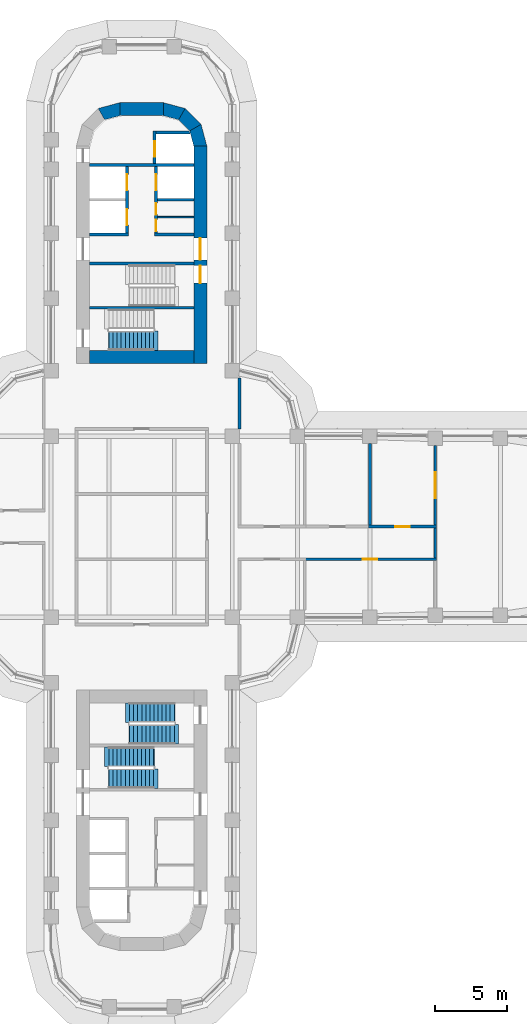
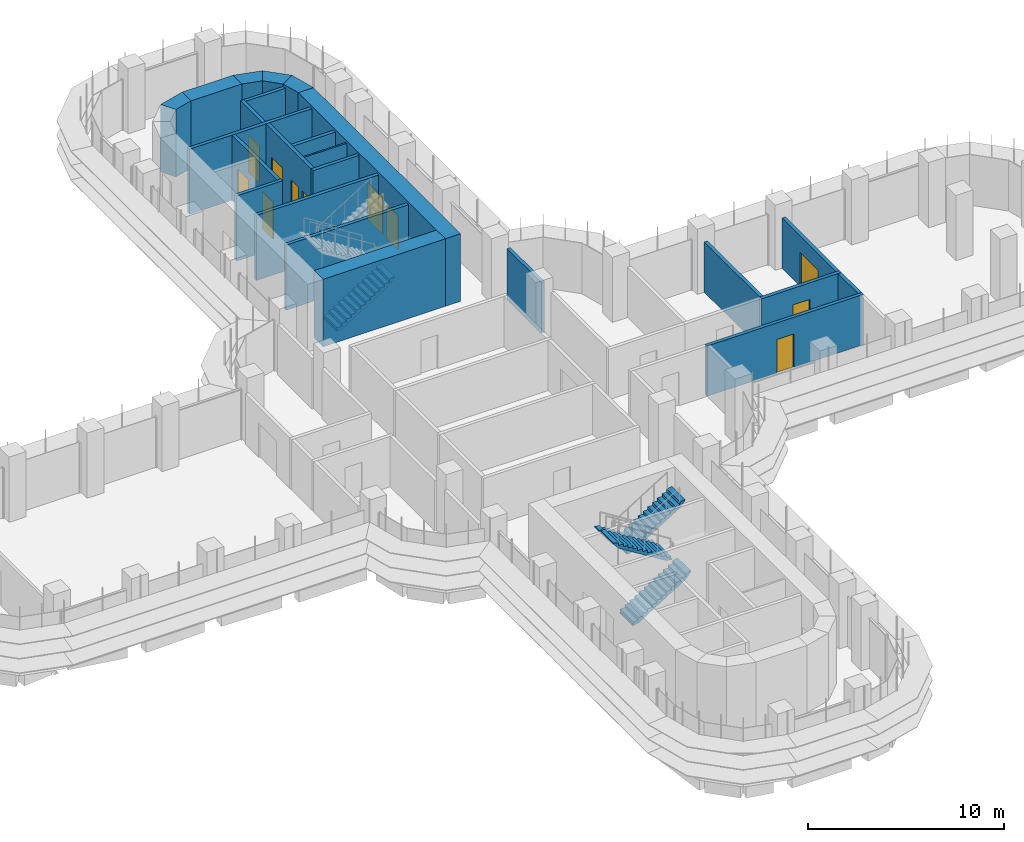
# One storey, part 18 of 23: 24 walls, 11 doors, 5 stair flights, 11 openings, 3 elements without a shape of their own.
"""IFC4 building model written with IfcOpenShell, lengths in metres."""

from ifc_helpers import new_model, si_unit, direction, frame, frame_2d, origin, place, context, subcontext, project, spatial, polyline, rectangle, outline, extrude, material, layer, layer_set, type_object, element, fill, aggregate, save


model = new_model("IFC4")

# Units and contexts
model_context = context("Model", 3, precision=1e-05, world=origin(), true_north=direction((0.0, 1.0)))
body_context = subcontext(model_context, "Body", "Model", "MODEL_VIEW")
ifc_project = project(units=[si_unit("LENGTHUNIT", "METRE"), si_unit("AREAUNIT", "SQUARE_METRE"), si_unit("VOLUMEUNIT", "CUBIC_METRE"), si_unit("PLANEANGLEUNIT", "RADIAN"), si_unit("MASSUNIT", "GRAM", prefix="KILO")], contexts=[model_context])

# Site, building, storey
site_placement = place(None, origin())
site = spatial("IfcSite", under=ifc_project, at=site_placement, CompositionType="ELEMENT")
building_placement = place(site_placement, origin())
building = spatial("IfcBuilding", under=site, at=building_placement, Name="Zarbagh Exchange Tower", CompositionType="ELEMENT")
storey_placement = place(building_placement, frame((0.0, 0.0, 77.39990234375)))
storey = spatial("IfcBuildingStorey", under=building, at=storey_placement, Name="L17", CompositionType="ELEMENT", Elevation=77.39990234375)

# Walls
ifc_material_1 = material(Name="Dense blockwork", Category="masonry")
ifc_layer_1 = layer(ifc_material_1, 0.10009765625)
ifc_layer_set_1 = layer_set([ifc_layer_1], Name="Core partition 100 mm blockwork")
wall_type_1 = type_object("IfcWallType", Name="Core partition 100 mm blockwork", PredefinedType="PARTITIONING", material=ifc_layer_set_1)
wall_1_placement = place(storey_placement, frame((1.10009765625, 21.35009765625, 0.0), z_axis=(0.0, 0.0, 1.0), x_axis=(1.0, 0.0, 0.0)))
element("IfcWall", 1, at=wall_1_placement, inside=storey, type_object=wall_type_1, Name="North core partition wall CUT-E-700", PredefinedType="PARTITIONING", context=body_context, shape_type="SweptSolid", body=[
    extrude(rectangle(XDim=2.5, YDim=0.10009765625, at=frame_2d((1.25, 0.0))), origin(), (0.0, 0.0, 1.0), 4.050048828125),
])
ifc_material_2 = material(Name="Fire-rated plasterboard partition")
ifc_layer_2 = layer(ifc_material_2, 0.199951171875)
ifc_layer_set_2 = layer_set([ifc_layer_2], Name="RATED PARTITION 200")
wall_type_2 = type_object("IfcWallType", Name="RATED PARTITION 200", PredefinedType="PARTITIONING", material=ifc_layer_set_2)
wall_2_placement = place(storey_placement, frame((6.75, 6.75, 0.0), z_axis=(0.0, 0.0, 1.0), x_axis=(0.0, 1.0, 0.0)))
element("IfcWall", 2, at=wall_2_placement, inside=storey, type_object=wall_type_2, Name="Partition W-512", PredefinedType="PARTITIONING", context=body_context, shape_type="SweptSolid", body=[
    extrude(rectangle(XDim=3.5, YDim=0.199951171875, at=frame_2d((1.75, 0.0))), origin(), (0.0, 0.0, 1.0), 3.130615234375),
])

# Wall, opening, door
wall_3_placement = place(storey_placement, frame((15.64990234375, 0.0, 0.0), z_axis=(0.0, 0.0, 1.0), x_axis=(1.0, 0.0, 0.0)))
wall_3 = element("IfcWall", 3, at=wall_3_placement, inside=storey, type_object=wall_type_2, Name="Partition W-522", PredefinedType="PARTITIONING", context=body_context, shape_type="SweptSolid", body=[
    extrude(rectangle(XDim=4.7001953125, YDim=0.199951171875, at=frame_2d((2.35009765625, 0.0))), origin(), (0.0, 0.0, 1.0), 3.130615234375),
])
opening_1_placement = place(wall_3_placement, frame((1.85009765625, 0.0, 0.0)))
opening_1 = element("IfcOpeningElement", 4, at=opening_1_placement, cuts=wall_3, Name="Opening D-507", PredefinedType="OPENING", context=body_context, shape_type="SweptSolid", body=[
    extrude(rectangle(XDim=1.0, YDim=2.10009765625, at=frame_2d((0.5, 1.050048828125))), frame((0.0, 0.10986328125, 0.0), z_axis=(0.0, -1.0, 0.0), x_axis=(1.0, 0.0, 0.0)), (0.0, 0.0, 1.0), 0.219970703125),
])
ifc_material_3 = material(Name="Steel door set", Category="steel")
door_type_1 = type_object("IfcDoorType", Name="FIRE DOOR 1000 X 2100 FD30S", OperationType="NOTDEFINED", PredefinedType="DOOR", material=ifc_material_3)
door_1_placement = place(opening_1_placement, origin())
door_1 = element("IfcDoor", 5, at=door_1_placement, inside=storey, type_object=door_type_1, Name="Door D-507", OperationType="SINGLE_SWING_LEFT", OverallHeight=2.10009765625, OverallWidth=1.0, PredefinedType="DOOR", context=body_context, shape_type="SweptSolid", body=[
    extrude(rectangle(XDim=1.0, YDim=2.10009765625, at=frame_2d((0.5, 1.050048828125))), frame((0.0, 0.02490234375, 0.0), z_axis=(0.0, -1.0, 0.0), x_axis=(1.0, 0.0, 0.0)), (0.0, 0.0, 1.0), 0.050048828125),
])
fill(opening_1, door_1)

wall_4_placement = place(storey_placement, frame((20.35009765625, -2.25, 0.0), z_axis=(0.0, 0.0, 1.0), x_axis=(-1.0, 0.0, 0.0)))
wall_4 = element("IfcWall", 6, at=wall_4_placement, inside=storey, type_object=wall_type_2, Name="Partition W-523", PredefinedType="PARTITIONING", context=body_context, shape_type="SweptSolid", body=[
    extrude(rectangle(XDim=9.2001953125, YDim=0.199951171875, at=frame_2d((4.60009765625, 0.0))), origin(), (0.0, 0.0, 1.0), 3.130615234375),
])
opening_2_placement = place(wall_4_placement, frame((4.10009765625, 0.0, 0.0)))
opening_2 = element("IfcOpeningElement", 7, at=opening_2_placement, cuts=wall_4, Name="Opening D-509", PredefinedType="OPENING", context=body_context, shape_type="SweptSolid", body=[
    extrude(rectangle(XDim=1.0, YDim=2.10009765625, at=frame_2d((0.5, 1.050048828125))), frame((0.0, 0.10986328125, 0.0), z_axis=(0.0, -1.0, 0.0), x_axis=(1.0, 0.0, 0.0)), (0.0, 0.0, 1.0), 0.219970703125),
])
door_2_placement = place(opening_2_placement, origin())
door_2 = element("IfcDoor", 8, at=door_2_placement, inside=storey, type_object=door_type_1, Name="Door D-509", OperationType="SINGLE_SWING_RIGHT", OverallHeight=2.10009765625, OverallWidth=1.0, PredefinedType="DOOR", context=body_context, shape_type="SweptSolid", body=[
    extrude(rectangle(XDim=1.0, YDim=2.10009765625, at=frame_2d((0.5, 1.050048828125))), frame((0.0, 0.02490234375, 0.0), z_axis=(0.0, -1.0, 0.0), x_axis=(1.0, 0.0, 0.0)), (0.0, 0.0, 1.0), 0.050048828125),
])
fill(opening_2, door_2)

# Walls
wall_5_placement = place(storey_placement, frame((20.25, -2.14990234375, 0.0), z_axis=(0.0, 0.0, 1.0), x_axis=(0.0, 1.0, 0.0)))
element("IfcWall", 9, at=wall_5_placement, inside=storey, type_object=wall_type_2, Name="Partition W-524", PredefinedType="PARTITIONING", context=body_context, shape_type="SweptSolid", body=[
    extrude(rectangle(XDim=2.0498046875, YDim=0.199951171875, at=frame_2d((1.02490234375, 0.0))), origin(), (0.0, 0.0, 1.0), 3.130615234375),
])
wall_6_placement = place(storey_placement, frame((15.75, 0.10009765625, 0.0), z_axis=(0.0, 0.0, 1.0), x_axis=(0.0, 1.0, 0.0)))
element("IfcWall", 10, at=wall_6_placement, inside=storey, type_object=wall_type_2, Name="Partition W-527", PredefinedType="PARTITIONING", context=body_context, shape_type="SweptSolid", body=[
    extrude(rectangle(XDim=5.64990234375, YDim=0.199951171875, at=frame_2d((2.824951171875, 0.0))), origin(), (0.0, 0.0, 1.0), 3.130615234375),
])

# Wall, opening, door
wall_7_placement = place(storey_placement, frame((20.25, 5.610107421875, 0.0), z_axis=(0.0, 0.0, 1.0), x_axis=(0.0, -1.0, 0.0)))
wall_7 = element("IfcWall", 11, at=wall_7_placement, inside=storey, type_object=wall_type_2, Name="Partition W-528", PredefinedType="PARTITIONING", context=body_context, shape_type="SweptSolid", body=[
    extrude(rectangle(XDim=5.510009765625, YDim=0.199951171875, at=frame_2d((2.7548828125, 0.0))), origin(), (0.0, 0.0, 1.0), 3.130615234375),
])
opening_3_placement = place(wall_7_placement, frame((1.85498046875, 0.0, 0.0)))
opening_3 = element("IfcOpeningElement", 12, at=opening_3_placement, cuts=wall_7, Name="Opening D-504", PredefinedType="OPENING", context=body_context, shape_type="SweptSolid", body=[
    extrude(rectangle(XDim=1.800048828125, YDim=2.10009765625, at=frame_2d((0.89990234375, 1.050048828125))), frame((0.0, 0.10986328125, 0.0), z_axis=(0.0, -1.0, 0.0), x_axis=(1.0, 0.0, 0.0)), (0.0, 0.0, 1.0), 0.219970703125),
])
door_type_2 = type_object("IfcDoorType", Name="FIRE DOUBLE DOOR 1800 X 2100 FD30S", OperationType="DOUBLE_DOOR_SINGLE_SWING", PredefinedType="DOOR", material=ifc_material_3)
door_3_placement = place(opening_3_placement, origin())
door_3 = element("IfcDoor", 13, at=door_3_placement, inside=storey, type_object=door_type_2, Name="Door D-504", OperationType="DOUBLE_DOOR_SINGLE_SWING", OverallHeight=2.10009765625, OverallWidth=1.800048828125, PredefinedType="DOOR", context=body_context, shape_type="SweptSolid", body=[
    extrude(rectangle(XDim=1.800048828125, YDim=2.10009765625, at=frame_2d((0.89990234375, 1.050048828125))), frame((0.0, 0.02490234375, 0.0), z_axis=(0.0, -1.0, 0.0), x_axis=(1.0, 0.0, 0.0)), (0.0, 0.0, 1.0), 0.050048828125),
])
fill(opening_3, door_3)

# Walls
ifc_material_4 = material(Name="Concrete C60/75", Category="concrete")
ifc_layer_3 = layer(ifc_material_4, 0.89990234375)
ifc_layer_set_3 = layer_set([ifc_layer_3], Name="RC core corner wall 900 C60/75")
wall_type_3 = type_object("IfcWallType", Name="RC core corner wall 900 C60/75", PredefinedType="SHEAR", material=ifc_layer_set_3)
wall_8_placement = place(storey_placement, origin())
element("IfcWall", 14, at=wall_8_placement, inside=storey, type_object=wall_type_3, Name="CW2 core N corner W", PredefinedType="SHEAR", context=body_context, shape_type="SweptSolid", body=[
    extrude(outline(polyline([(-3.0, 28.84814453125), (-1.5, 29.25), (-1.5, 28.35009765625), (-2.550048828125, 28.068603515625), (-3.0, 28.84814453125)])), origin(), (0.0, 0.0, 1.0), 4.2001953125),
])
wall_9_placement = place(storey_placement, origin())
element("IfcWall", 15, at=wall_9_placement, inside=storey, type_object=wall_type_3, Name="CW2 core N corner E", PredefinedType="SHEAR", context=body_context, shape_type="SweptSolid", body=[
    extrude(outline(polyline([(4.5, 26.25), (4.09814453125, 27.75), (3.318603515625, 27.300048828125), (3.60009765625, 26.25), (4.5, 26.25)])), origin(), (0.0, 0.0, 1.0), 4.2001953125),
])
wall_10_placement = place(storey_placement, origin())
element("IfcWall", 16, at=wall_10_placement, inside=storey, type_object=wall_type_3, Name="CW2 core N corner E", PredefinedType="SHEAR", context=body_context, shape_type="SweptSolid", body=[
    extrude(outline(polyline([(4.09814453125, 27.75), (3.0, 28.84814453125), (2.550048828125, 28.068603515625), (3.318603515625, 27.300048828125), (4.09814453125, 27.75)])), origin(), (0.0, 0.0, 1.0), 4.2001953125),
])
wall_11_placement = place(storey_placement, origin())
element("IfcWall", 17, at=wall_11_placement, inside=storey, type_object=wall_type_3, Name="CW2 core N corner E", PredefinedType="SHEAR", context=body_context, shape_type="SweptSolid", body=[
    extrude(outline(polyline([(3.0, 28.84814453125), (1.5, 29.25), (1.5, 28.35009765625), (2.550048828125, 28.068603515625), (3.0, 28.84814453125)])), origin(), (0.0, 0.0, 1.0), 4.2001953125),
])

# Wall, openings, doors
ifc_layer_4 = layer(ifc_material_4, 0.89990234375)
ifc_layer_set_4 = layer_set([ifc_layer_4], Name="RC core wall 900 C60/75")
wall_type_4 = type_object("IfcWallType", Name="RC core wall 900 C60/75", PredefinedType="SHEAR", material=ifc_layer_set_4)
wall_12_placement = place(storey_placement, frame((4.050048828125, 11.25, 0.0), z_axis=(0.0, 0.0, 1.0), x_axis=(0.0, 1.0, 0.0)))
wall_12 = element("IfcWall", 18, at=wall_12_placement, inside=storey, type_object=wall_type_4, Name="CW1 core N E", PredefinedType="SHEAR", context=body_context, shape_type="SweptSolid", body=[
    extrude(rectangle(XDim=15.0, YDim=0.89990234375, at=frame_2d((7.5, 0.0))), origin(), (0.0, 0.0, 1.0), 4.2001953125),
])
opening_4_placement = place(wall_12_placement, frame((7.14990234375, 0.0, 0.0)))
opening_4 = element("IfcOpeningElement", 19, at=opening_4_placement, cuts=wall_12, Name="Opening CD1-1500", PredefinedType="OPENING", context=body_context, shape_type="SweptSolid", body=[
    extrude(rectangle(XDim=1.5, YDim=2.300048828125, at=frame_2d((0.75, 1.14990234375))), frame((0.0, 0.4599609375, 0.0), z_axis=(0.0, -1.0, 0.0), x_axis=(1.0, 0.0, 0.0)), (0.0, 0.0, 1.0), 0.919921875),
])
opening_5_placement = place(wall_12_placement, frame((5.550048828125, 0.0, 0.0)))
opening_5 = element("IfcOpeningElement", 20, at=opening_5_placement, cuts=wall_12, Name="Opening SD1-1200", PredefinedType="OPENING", context=body_context, shape_type="SweptSolid", body=[
    extrude(rectangle(XDim=1.199951171875, YDim=2.10009765625, at=frame_2d((0.60009765625, 1.050048828125))), frame((0.0, 0.4599609375, 0.0), z_axis=(0.0, -1.0, 0.0), x_axis=(1.0, 0.0, 0.0)), (0.0, 0.0, 1.0), 0.919921875),
])
ifc_material_5 = material(Name="Steel", Category="steel")
door_type_3 = type_object("IfcDoorType", Name="Exit stair door 1200 x 2100", OperationType="NOTDEFINED", PredefinedType="DOOR", material=ifc_material_5)
door_4_placement = place(opening_5_placement, origin())
door_4 = element("IfcDoor", 21, at=door_4_placement, inside=storey, type_object=door_type_3, Name="North core stair door ST1", OperationType="SINGLE_SWING_RIGHT", OverallHeight=2.10009765625, OverallWidth=1.199951171875, PredefinedType="DOOR", context=body_context, shape_type="SweptSolid", body=[
    extrude(rectangle(XDim=1.199951171875, YDim=2.10009765625, at=frame_2d((0.60009765625, 1.050048828125))), frame((0.0, 0.02490234375, 0.0), z_axis=(0.0, -1.0, 0.0), x_axis=(1.0, 0.0, 0.0)), (0.0, 0.0, 1.0), 0.050048828125),
])
fill(opening_5, door_4)
door_type_4 = type_object("IfcDoorType", Name="Lift lobby double door 1500 x 2300", OperationType="NOTDEFINED", PredefinedType="DOOR", material=ifc_material_5)
door_5_placement = place(opening_4_placement, origin())
door_5 = element("IfcDoor", 22, at=door_5_placement, inside=storey, type_object=door_type_4, Name="North core lift lobby door LOBBY-E", OperationType="DOUBLE_DOOR_SINGLE_SWING", OverallHeight=2.300048828125, OverallWidth=1.5, PredefinedType="DOOR", context=body_context, shape_type="SweptSolid", body=[
    extrude(rectangle(XDim=1.5, YDim=2.300048828125, at=frame_2d((0.75, 1.14990234375))), frame((0.0, 0.02490234375, 0.0), z_axis=(0.0, -1.0, 0.0), x_axis=(1.0, 0.0, 0.0)), (0.0, 0.0, 1.0), 0.050048828125),
])
fill(opening_4, door_5)

# Walls
wall_13_placement = place(storey_placement, frame((-3.60009765625, 11.699951171875, 0.0), z_axis=(0.0, 0.0, 1.0), x_axis=(1.0, 0.0, 0.0)))
element("IfcWall", 23, at=wall_13_placement, inside=storey, type_object=wall_type_4, Name="CW1 core N inner end", PredefinedType="SHEAR", context=body_context, shape_type="SweptSolid", body=[
    extrude(rectangle(XDim=7.2001953125, YDim=0.89990234375, at=frame_2d((3.60009765625, 0.0))), origin(), (0.0, 0.0, 1.0), 4.2001953125),
])
wall_14_placement = place(storey_placement, frame((-1.5, 28.800048828125, 0.0), z_axis=(0.0, 0.0, 1.0), x_axis=(1.0, 0.0, 0.0)))
element("IfcWall", 24, at=wall_14_placement, inside=storey, type_object=wall_type_4, Name="CW1 core N outer end", PredefinedType="SHEAR", context=body_context, shape_type="SweptSolid", body=[
    extrude(rectangle(XDim=3.0, YDim=0.89990234375, at=frame_2d((1.5, 0.0))), origin(), (0.0, 0.0, 1.0), 4.2001953125),
])
ifc_layer_5 = layer(ifc_material_1, 0.199951171875)
ifc_layer_set_5 = layer_set([ifc_layer_5], Name="Shaft wall 200 mm blockwork")
wall_type_5 = type_object("IfcWallType", Name="Shaft wall 200 mm blockwork", PredefinedType="PARTITIONING", material=ifc_layer_set_5)
wall_15_placement = place(storey_placement, frame((-3.60009765625, 20.14990234375, 0.0), z_axis=(0.0, 0.0, 1.0), x_axis=(1.0, 0.0, 0.0)))
element("IfcWall", 25, at=wall_15_placement, inside=storey, type_object=wall_type_5, Name="North core shaft wall AB-W", PredefinedType="PARTITIONING", context=body_context, shape_type="SweptSolid", body=[
    extrude(rectangle(XDim=2.7001953125, YDim=0.199951171875, at=frame_2d((1.35009765625, 0.0))), origin(), (0.0, 0.0, 1.0), 4.050048828125),
])

# Wall, openings, doors
wall_16_placement = place(storey_placement, frame((-1.0, 24.85009765625, 0.0), z_axis=(0.0, 0.0, 1.0), x_axis=(0.0, -1.0, 0.0)))
wall_16 = element("IfcWall", 26, at=wall_16_placement, inside=storey, type_object=wall_type_5, Name="North core shaft wall LW-W", PredefinedType="PARTITIONING", context=body_context, shape_type="SweptSolid", body=[
    extrude(rectangle(XDim=4.60009765625, YDim=0.199951171875, at=frame_2d((2.300048828125, 0.0))), origin(), (0.0, 0.0, 1.0), 4.050048828125),
])
opening_6_placement = place(wall_16_placement, frame((0.550048828125, 0.0, 0.0)))
opening_6 = element("IfcOpeningElement", 27, at=opening_6_placement, cuts=wall_16, Name="Opening LD-1100", PredefinedType="OPENING", context=body_context, shape_type="SweptSolid", body=[
    extrude(rectangle(XDim=1.10009765625, YDim=2.300048828125, at=frame_2d((0.550048828125, 1.14990234375))), frame((0.0, 0.10986328125, 0.0), z_axis=(0.0, -1.0, 0.0), x_axis=(1.0, 0.0, 0.0)), (0.0, 0.0, 1.0), 0.219970703125),
])
opening_7_placement = place(wall_16_placement, frame((2.949951171875, 0.0, 0.0)))
opening_7 = element("IfcOpeningElement", 28, at=opening_7_placement, cuts=wall_16, Name="Opening LD-1100", PredefinedType="OPENING", context=body_context, shape_type="SweptSolid", body=[
    extrude(rectangle(XDim=1.10009765625, YDim=2.300048828125, at=frame_2d((0.550048828125, 1.14990234375))), frame((0.0, 0.10986328125, 0.0), z_axis=(0.0, -1.0, 0.0), x_axis=(1.0, 0.0, 0.0)), (0.0, 0.0, 1.0), 0.219970703125),
])
ifc_material_6 = material(Name="Stainless steel", Category="steel")
door_type_5 = type_object("IfcDoorType", Name="Lift landing door 1100 x 2300", OperationType="NOTDEFINED", PredefinedType="DOOR", material=ifc_material_6)
door_6_placement = place(opening_6_placement, origin())
door_6 = element("IfcDoor", 29, at=door_6_placement, inside=storey, type_object=door_type_5, Name="North core lift landing door LD-P-N1", OperationType="DOUBLE_DOOR_SLIDING", OverallHeight=2.300048828125, OverallWidth=1.10009765625, PredefinedType="DOOR", context=body_context, shape_type="SweptSolid", body=[
    extrude(rectangle(XDim=1.10009765625, YDim=2.300048828125, at=frame_2d((0.550048828125, 1.14990234375))), frame((0.0, 0.02490234375, 0.0), z_axis=(0.0, -1.0, 0.0), x_axis=(1.0, 0.0, 0.0)), (0.0, 0.0, 1.0), 0.050048828125),
])
fill(opening_6, door_6)
door_7_placement = place(opening_7_placement, origin())
door_7 = element("IfcDoor", 30, at=door_7_placement, inside=storey, type_object=door_type_5, Name="North core lift landing door LD-P-N2", OperationType="DOUBLE_DOOR_SLIDING", OverallHeight=2.300048828125, OverallWidth=1.10009765625, PredefinedType="DOOR", context=body_context, shape_type="SweptSolid", body=[
    extrude(rectangle(XDim=1.10009765625, YDim=2.300048828125, at=frame_2d((0.550048828125, 1.14990234375))), frame((0.0, 0.02490234375, 0.0), z_axis=(0.0, -1.0, 0.0), x_axis=(1.0, 0.0, 0.0)), (0.0, 0.0, 1.0), 0.050048828125),
])
fill(opening_7, door_7)

# Wall
wall_17_placement = place(storey_placement, frame((0.89990234375, 20.14990234375, 0.0), z_axis=(0.0, 0.0, 1.0), x_axis=(1.0, 0.0, 0.0)))
element("IfcWall", 31, at=wall_17_placement, inside=storey, type_object=wall_type_5, Name="North core shaft wall AB-E", PredefinedType="PARTITIONING", context=body_context, shape_type="SweptSolid", body=[
    extrude(rectangle(XDim=2.7001953125, YDim=0.199951171875, at=frame_2d((1.35009765625, 0.0))), origin(), (0.0, 0.0, 1.0), 4.050048828125),
])

# Wall, openings, doors
wall_18_placement = place(storey_placement, frame((1.0, 24.85009765625, 0.0), z_axis=(0.0, 0.0, 1.0), x_axis=(0.0, -1.0, 0.0)))
wall_18 = element("IfcWall", 32, at=wall_18_placement, inside=storey, type_object=wall_type_5, Name="North core shaft wall LW-E", PredefinedType="PARTITIONING", context=body_context, shape_type="SweptSolid", body=[
    extrude(rectangle(XDim=4.60009765625, YDim=0.199951171875, at=frame_2d((2.300048828125, 0.0))), origin(), (0.0, 0.0, 1.0), 4.050048828125),
])
opening_8_placement = place(wall_18_placement, frame((0.550048828125, 0.0, 0.0)))
opening_8 = element("IfcOpeningElement", 33, at=opening_8_placement, cuts=wall_18, Name="Opening LD-1100", PredefinedType="OPENING", context=body_context, shape_type="SweptSolid", body=[
    extrude(rectangle(XDim=1.10009765625, YDim=2.300048828125, at=frame_2d((0.550048828125, 1.14990234375))), frame((0.0, 0.10986328125, 0.0), z_axis=(0.0, -1.0, 0.0), x_axis=(1.0, 0.0, 0.0)), (0.0, 0.0, 1.0), 0.219970703125),
])
opening_9_placement = place(wall_18_placement, frame((2.52490234375, 0.0, 0.0)))
opening_9 = element("IfcOpeningElement", 34, at=opening_9_placement, cuts=wall_18, Name="Opening CD3-800", PredefinedType="OPENING", context=body_context, shape_type="SweptSolid", body=[
    extrude(rectangle(XDim=0.800048828125, YDim=2.10009765625, at=frame_2d((0.39990234375, 1.050048828125))), frame((0.0, 0.10986328125, 0.0), z_axis=(0.0, -1.0, 0.0), x_axis=(1.0, 0.0, 0.0)), (0.0, 0.0, 1.0), 0.219970703125),
])
opening_10_placement = place(wall_18_placement, frame((3.675048828125, 0.0, 0.0)))
opening_10 = element("IfcOpeningElement", 35, at=opening_10_placement, cuts=wall_18, Name="Opening CD3-800", PredefinedType="OPENING", context=body_context, shape_type="SweptSolid", body=[
    extrude(rectangle(XDim=0.800048828125, YDim=2.10009765625, at=frame_2d((0.39990234375, 1.050048828125))), frame((0.0, 0.10986328125, 0.0), z_axis=(0.0, -1.0, 0.0), x_axis=(1.0, 0.0, 0.0)), (0.0, 0.0, 1.0), 0.219970703125),
])
door_type_6 = type_object("IfcDoorType", Name="Core room door 800 x 2100", OperationType="NOTDEFINED", PredefinedType="DOOR", material=ifc_material_5)
door_8_placement = place(opening_9_placement, origin())
door_8 = element("IfcDoor", 36, at=door_8_placement, inside=storey, type_object=door_type_6, Name="North core Store door RD-E-0", OperationType="SINGLE_SWING_LEFT", OverallHeight=2.10009765625, OverallWidth=0.800048828125, PredefinedType="DOOR", context=body_context, shape_type="SweptSolid", body=[
    extrude(rectangle(XDim=0.800048828125, YDim=2.10009765625, at=frame_2d((0.39990234375, 1.050048828125))), frame((0.0, 0.02490234375, 0.0), z_axis=(0.0, -1.0, 0.0), x_axis=(1.0, 0.0, 0.0)), (0.0, 0.0, 1.0), 0.050048828125),
])
fill(opening_9, door_8)
door_9_placement = place(opening_10_placement, origin())
door_9 = element("IfcDoor", 37, at=door_9_placement, inside=storey, type_object=door_type_6, Name="North core IT room door RD-E-1", OperationType="SINGLE_SWING_LEFT", OverallHeight=2.10009765625, OverallWidth=0.800048828125, PredefinedType="DOOR", context=body_context, shape_type="SweptSolid", body=[
    extrude(rectangle(XDim=0.800048828125, YDim=2.10009765625, at=frame_2d((0.39990234375, 1.050048828125))), frame((0.0, 0.02490234375, 0.0), z_axis=(0.0, -1.0, 0.0), x_axis=(1.0, 0.0, 0.0)), (0.0, 0.0, 1.0), 0.050048828125),
])
fill(opening_10, door_9)
door_10_placement = place(opening_8_placement, origin())
door_10 = element("IfcDoor", 38, at=door_10_placement, inside=storey, type_object=door_type_5, Name="North core lift landing door LD-P-N3", OperationType="DOUBLE_DOOR_SLIDING", OverallHeight=2.300048828125, OverallWidth=1.10009765625, PredefinedType="DOOR", context=body_context, shape_type="SweptSolid", body=[
    extrude(rectangle(XDim=1.10009765625, YDim=2.300048828125, at=frame_2d((0.550048828125, 1.14990234375))), frame((0.0, 0.02490234375, 0.0), z_axis=(0.0, -1.0, 0.0), x_axis=(1.0, 0.0, 0.0)), (0.0, 0.0, 1.0), 0.050048828125),
])
fill(opening_8, door_10)

# Walls
wall_19_placement = place(storey_placement, frame((1.10009765625, 22.550048828125, 0.0), z_axis=(0.0, 0.0, 1.0), x_axis=(1.0, 0.0, 0.0)))
element("IfcWall", 39, at=wall_19_placement, inside=storey, type_object=wall_type_5, Name="North core shaft wall TR-E", PredefinedType="PARTITIONING", context=body_context, shape_type="SweptSolid", body=[
    extrude(rectangle(XDim=2.5, YDim=0.199951171875, at=frame_2d((1.25, 0.0))), origin(), (0.0, 0.0, 1.0), 4.050048828125),
])
ifc_material_7 = material(Name="Concrete C40/50", Category="concrete")
ifc_layer_6 = layer(ifc_material_7, 0.199951171875)
ifc_layer_set_6 = layer_set([ifc_layer_6], Name="Stair enclosure wall 200 mm RC C40/50")
wall_type_6 = type_object("IfcWallType", Name="Stair enclosure wall 200 mm RC C40/50", PredefinedType="SHEAR", material=ifc_layer_set_6)
wall_20_placement = place(storey_placement, frame((-3.60009765625, 24.949951171875, 0.0), z_axis=(0.0, 0.0, 1.0), x_axis=(1.0, 0.0, 0.0)))
element("IfcWall", 40, at=wall_20_placement, inside=storey, type_object=wall_type_6, Name="North core lift shaft wall FFA", PredefinedType="SHEAR", context=body_context, shape_type="SweptSolid", body=[
    extrude(rectangle(XDim=7.2001953125, YDim=0.199951171875, at=frame_2d((3.60009765625, 0.0))), origin(), (0.0, 0.0, 1.0), 4.050048828125),
])

# Wall, opening, door
wall_21_placement = place(storey_placement, frame((0.89990234375, 27.300048828125, 0.0), z_axis=(0.0, 0.0, 1.0), x_axis=(0.0, -1.0, 0.0)))
wall_21 = element("IfcWall", 41, at=wall_21_placement, inside=storey, type_object=wall_type_6, Name="North core lift shaft wall FFL", PredefinedType="SHEAR", context=body_context, shape_type="SweptSolid", body=[
    extrude(rectangle(XDim=2.25, YDim=0.199951171875, at=frame_2d((1.125, 0.0))), origin(), (0.0, 0.0, 1.0), 4.050048828125),
])
opening_11_placement = place(wall_21_placement, frame((0.699951171875, 0.0, 0.0)))
opening_11 = element("IfcOpeningElement", 42, at=opening_11_placement, cuts=wall_21, Name="Opening LD-1100", PredefinedType="OPENING", context=body_context, shape_type="SweptSolid", body=[
    extrude(rectangle(XDim=1.10009765625, YDim=2.300048828125, at=frame_2d((0.550048828125, 1.14990234375))), frame((0.0, 0.10986328125, 0.0), z_axis=(0.0, -1.0, 0.0), x_axis=(1.0, 0.0, 0.0)), (0.0, 0.0, 1.0), 0.219970703125),
])
door_11_placement = place(opening_11_placement, origin())
door_11 = element("IfcDoor", 43, at=door_11_placement, inside=storey, type_object=door_type_5, Name="North core lift landing door LD-F", OperationType="DOUBLE_DOOR_SLIDING", OverallHeight=2.300048828125, OverallWidth=1.10009765625, PredefinedType="DOOR", context=body_context, shape_type="SweptSolid", body=[
    extrude(rectangle(XDim=1.10009765625, YDim=2.300048828125, at=frame_2d((0.550048828125, 1.14990234375))), frame((0.0, 0.02490234375, 0.0), z_axis=(0.0, -1.0, 0.0), x_axis=(1.0, 0.0, 0.0)), (0.0, 0.0, 1.0), 0.050048828125),
])
fill(opening_11, door_11)

# Walls
wall_22_placement = place(storey_placement, origin())
element("IfcWall", 44, at=wall_22_placement, inside=storey, type_object=wall_type_6, Name="North core lift shaft wall FFX", PredefinedType="SHEAR", context=body_context, shape_type="SweptSolid", body=[
    extrude(outline(polyline([(1.0, 27.10009765625), (3.340576171875, 27.10009765625), (3.291259765625, 27.2841796875), (3.275390625, 27.300048828125), (1.0, 27.300048828125), (1.0, 27.10009765625)])), origin(), (0.0, 0.0, 1.0), 4.050048828125),
])
for number, where, z_axis, x_axis, name in (
    (45, (-3.60009765625, 18.14990234375, 0.0), (0.0, 0.0, 1.0), (1.0, 0.0, 0.0), "North core stair wall BS"),
    (46, (-3.60009765625, 15.10009765625, 0.0), (0.0, 0.0, 1.0), (1.0, 0.0, 0.0), "North core stair wall ST12"),
):
    element("IfcWall", number, at=place(storey_placement, frame(where, z_axis=z_axis, x_axis=x_axis)), inside=storey, type_object=wall_type_6, Name=name, PredefinedType="SHEAR", context=body_context, shape_type="SweptSolid", body=[
        extrude(rectangle(XDim=7.2001953125, YDim=0.199951171875, at=frame_2d((3.60009765625, 0.0))), origin(), (0.0, 0.0, 1.0), 4.050048828125),
    ])

# Stair, stair flight
stair_type = type_object("IfcStairType", Name="Exit stair two-flight half-turn", PredefinedType="HALF_TURN_STAIR", material=ifc_material_7)
stair_1_placement = place(storey_placement, origin())
stair_1 = element("IfcStair", 47, at=stair_1_placement, inside=storey, type_object=stair_type, Name="exit stair ST2", PredefinedType="HALF_TURN_STAIR")
stair_flight_type = type_object("IfcStairFlightType", Name="Stair flight 1350 mm", PredefinedType="STRAIGHT", material=ifc_material_7)
stair_flight_1_placement = place(storey_placement, frame((-2.25, 12.824951171875, 0.0), z_axis=(0.0, 0.0, 1.0), x_axis=(1.0, 0.0, 0.0)))
stair_flight_1 = element("IfcStairFlight", 48, at=stair_flight_1_placement, type_object=stair_flight_type, Name="ST2 flight 1", NumberOfRisers=12, NumberOfTreads=11, PredefinedType="STRAIGHT", RiserHeight=0.175, TreadLength=0.28, context=body_context, shape_type="SweptSolid", body=[
    extrude(outline(polyline([(-0.050048828125, -0.050048828125), (-0.050048828125, 0.0), (0.0, 0.0), (0.0, 0.175048828125), (0.280029296875, 0.175048828125), (0.280029296875, 0.35009765625), (0.56005859375, 0.35009765625), (0.56005859375, 0.52490234375), (0.840087890625, 0.52490234375), (0.840087890625, 0.699951171875), (1.1201171875, 0.699951171875), (1.1201171875, 0.875), (1.39990234375, 0.875), (1.39990234375, 1.050048828125), (1.679931640625, 1.050048828125), (1.679931640625, 1.22509765625), (1.9599609375, 1.22509765625), (1.9599609375, 1.39990234375), (2.239990234375, 1.39990234375), (2.239990234375, 1.574951171875), (2.52001953125, 1.574951171875), (2.52001953125, 1.75), (2.800048828125, 1.75), (2.800048828125, 1.925048828125), (3.080078125, 1.925048828125), (3.080078125, 2.10009765625), (3.3798828125, 2.179931640625), (3.3798828125, 2.10009765625), (3.080078125, 1.748291015625), (0.28271484375, 0.0), (-0.050048828125, -0.050048828125)])), frame((0.0, 0.675048828125, 0.0), z_axis=(0.0, -1.0, 0.0), x_axis=(1.0, 0.0, 0.0)), (0.0, 0.0, 1.0), 1.35009765625),
])
aggregate(stair_1, [stair_flight_1])

# Stair, stair flights
stair_2_placement = place(storey_placement, origin())
stair_2 = element("IfcStair", 49, at=stair_2_placement, inside=storey, type_object=stair_type, Name="exit stair ST3", PredefinedType="HALF_TURN_STAIR")
stair_flight_2_placement = place(storey_placement, frame((-2.25, -17.375, 0.0), z_axis=(0.0, 0.0, 1.0), x_axis=(1.0, 0.0, 0.0)))
stair_flight_2 = element("IfcStairFlight", 50, at=stair_flight_2_placement, type_object=stair_flight_type, Name="ST3 flight 1", NumberOfRisers=12, NumberOfTreads=11, PredefinedType="STRAIGHT", RiserHeight=0.175, TreadLength=0.28, context=body_context, shape_type="SweptSolid", body=[
    extrude(outline(polyline([(-0.050048828125, -0.050048828125), (-0.050048828125, 0.0), (0.0, 0.0), (0.0, 0.175048828125), (0.280029296875, 0.175048828125), (0.280029296875, 0.35009765625), (0.56005859375, 0.35009765625), (0.56005859375, 0.52490234375), (0.840087890625, 0.52490234375), (0.840087890625, 0.699951171875), (1.1201171875, 0.699951171875), (1.1201171875, 0.875), (1.39990234375, 0.875), (1.39990234375, 1.050048828125), (1.679931640625, 1.050048828125), (1.679931640625, 1.22509765625), (1.9599609375, 1.22509765625), (1.9599609375, 1.39990234375), (2.239990234375, 1.39990234375), (2.239990234375, 1.574951171875), (2.52001953125, 1.574951171875), (2.52001953125, 1.75), (2.800048828125, 1.75), (2.800048828125, 1.925048828125), (3.080078125, 1.925048828125), (3.080078125, 2.10009765625), (3.3798828125, 2.179931640625), (3.3798828125, 2.10009765625), (3.080078125, 1.748291015625), (0.28271484375, 0.0), (-0.050048828125, -0.050048828125)])), frame((0.0, 0.675048828125, 0.0), z_axis=(0.0, -1.0, 0.0), x_axis=(1.0, 0.0, 0.0)), (0.0, 0.0, 1.0), 1.35009765625),
])
stair_flight_3_placement = place(storey_placement, frame((0.830078125, -15.875, 2.10009765625), z_axis=(0.0, 0.0, 1.0), x_axis=(-1.0, 0.0, 0.0)))
stair_flight_3 = element("IfcStairFlight", 51, at=stair_flight_3_placement, type_object=stair_flight_type, Name="ST3 flight 2", NumberOfRisers=12, NumberOfTreads=11, PredefinedType="STRAIGHT", RiserHeight=0.175, TreadLength=0.28, context=body_context, shape_type="SweptSolid", body=[
    extrude(outline(polyline([(-0.050048828125, -0.050048828125), (-0.050048828125, 0.0), (0.0, 0.0), (0.0, 0.175048828125), (0.280029296875, 0.175048828125), (0.280029296875, 0.35009765625), (0.56005859375, 0.35009765625), (0.56005859375, 0.52490234375), (0.840087890625, 0.52490234375), (0.840087890625, 0.699951171875), (1.1201171875, 0.699951171875), (1.1201171875, 0.875), (1.39990234375, 0.875), (1.39990234375, 1.050048828125), (1.679931640625, 1.050048828125), (1.679931640625, 1.22509765625), (1.9599609375, 1.22509765625), (1.9599609375, 1.39990234375), (2.239990234375, 1.39990234375), (2.239990234375, 1.574951171875), (2.52001953125, 1.574951171875), (2.52001953125, 1.75), (2.800048828125, 1.75), (2.800048828125, 1.925048828125), (3.080078125, 1.925048828125), (3.080078125, 2.10009765625), (3.3798828125, 2.179931640625), (3.3798828125, 2.10009765625), (3.080078125, 1.748291015625), (0.28271484375, 0.0), (-0.050048828125, -0.050048828125)])), frame((0.0, 0.675048828125, 0.0), z_axis=(0.0, -1.0, 0.0), x_axis=(1.0, 0.0, 0.0)), (0.0, 0.0, 1.0), 1.35009765625),
])
aggregate(stair_2, [stair_flight_2, stair_flight_3])

stair_3_placement = place(storey_placement, origin())
stair_3 = element("IfcStair", 52, at=stair_3_placement, inside=storey, type_object=stair_type, Name="exit stair ST4", PredefinedType="HALF_TURN_STAIR")
stair_flight_4_placement = place(storey_placement, frame((2.25, -12.824951171875, 0.0), z_axis=(0.0, 0.0, 1.0), x_axis=(-1.0, 0.0, 0.0)))
stair_flight_4 = element("IfcStairFlight", 53, at=stair_flight_4_placement, type_object=stair_flight_type, Name="ST4 flight 1", NumberOfRisers=12, NumberOfTreads=11, PredefinedType="STRAIGHT", RiserHeight=0.175, TreadLength=0.28, context=body_context, shape_type="SweptSolid", body=[
    extrude(outline(polyline([(-0.050048828125, -0.050048828125), (-0.050048828125, 0.0), (0.0, 0.0), (0.0, 0.175048828125), (0.280029296875, 0.175048828125), (0.280029296875, 0.35009765625), (0.56005859375, 0.35009765625), (0.56005859375, 0.52490234375), (0.840087890625, 0.52490234375), (0.840087890625, 0.699951171875), (1.1201171875, 0.699951171875), (1.1201171875, 0.875), (1.39990234375, 0.875), (1.39990234375, 1.050048828125), (1.679931640625, 1.050048828125), (1.679931640625, 1.22509765625), (1.9599609375, 1.22509765625), (1.9599609375, 1.39990234375), (2.239990234375, 1.39990234375), (2.239990234375, 1.574951171875), (2.52001953125, 1.574951171875), (2.52001953125, 1.75), (2.800048828125, 1.75), (2.800048828125, 1.925048828125), (3.080078125, 1.925048828125), (3.080078125, 2.10009765625), (3.3798828125, 2.179931640625), (3.3798828125, 2.10009765625), (3.080078125, 1.748291015625), (0.28271484375, 0.0), (-0.050048828125, -0.050048828125)])), frame((0.0, 0.675048828125, 0.0), z_axis=(0.0, -1.0, 0.0), x_axis=(1.0, 0.0, 0.0)), (0.0, 0.0, 1.0), 1.35009765625),
])
stair_flight_5_placement = place(storey_placement, frame((-0.830078125, -14.324951171875, 2.10009765625), z_axis=(0.0, 0.0, 1.0), x_axis=(1.0, 0.0, 0.0)))
stair_flight_5 = element("IfcStairFlight", 54, at=stair_flight_5_placement, type_object=stair_flight_type, Name="ST4 flight 2", NumberOfRisers=12, NumberOfTreads=11, PredefinedType="STRAIGHT", RiserHeight=0.175, TreadLength=0.28, context=body_context, shape_type="SweptSolid", body=[
    extrude(outline(polyline([(-0.050048828125, -0.050048828125), (-0.050048828125, 0.0), (0.0, 0.0), (0.0, 0.175048828125), (0.280029296875, 0.175048828125), (0.280029296875, 0.35009765625), (0.56005859375, 0.35009765625), (0.56005859375, 0.52490234375), (0.840087890625, 0.52490234375), (0.840087890625, 0.699951171875), (1.1201171875, 0.699951171875), (1.1201171875, 0.875), (1.39990234375, 0.875), (1.39990234375, 1.050048828125), (1.679931640625, 1.050048828125), (1.679931640625, 1.22509765625), (1.9599609375, 1.22509765625), (1.9599609375, 1.39990234375), (2.239990234375, 1.39990234375), (2.239990234375, 1.574951171875), (2.52001953125, 1.574951171875), (2.52001953125, 1.75), (2.800048828125, 1.75), (2.800048828125, 1.925048828125), (3.080078125, 1.925048828125), (3.080078125, 2.10009765625), (3.3798828125, 2.179931640625), (3.3798828125, 2.10009765625), (3.080078125, 1.748291015625), (0.28271484375, 0.0), (-0.050048828125, -0.050048828125)])), frame((0.0, 0.675048828125, 0.0), z_axis=(0.0, -1.0, 0.0), x_axis=(1.0, 0.0, 0.0)), (0.0, 0.0, 1.0), 1.35009765625),
])
aggregate(stair_3, [stair_flight_4, stair_flight_5])

save(model, "model.ifc")
